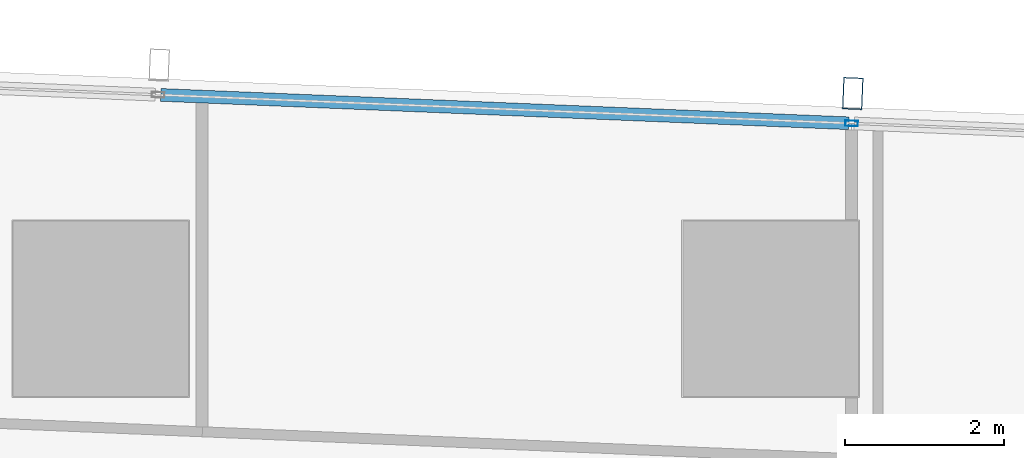
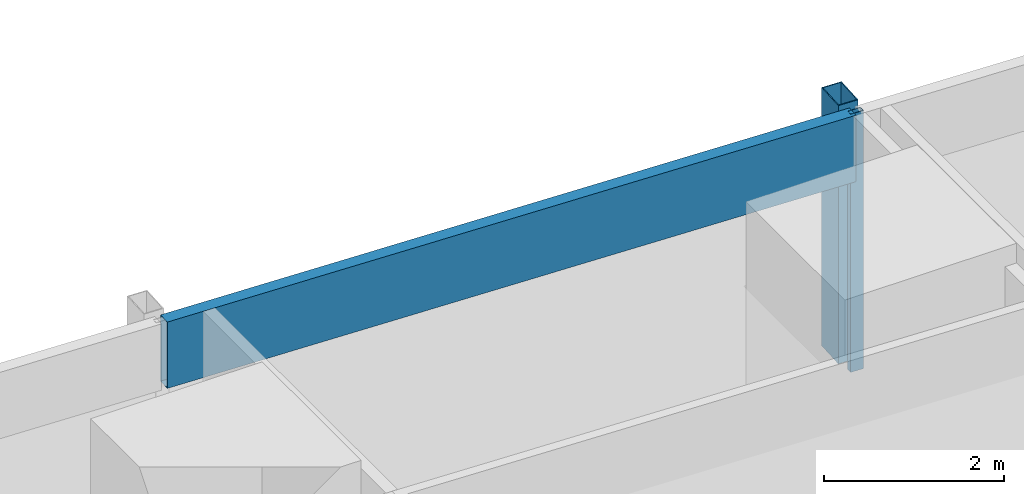
# One storey, part 22 of 45: 3 members, 1 element without a shape of its own.
"""IFC4 building model written with IfcOpenShell, lengths in metres."""

from ifc_helpers import new_model, si_unit, direction, frame, origin, origin_2d, place, context, subcontext, project, spatial, hollow_rectangle, extrude, material, material_profile, profile_set, type_object, element, aggregate, save


model = new_model("IFC4")

# Units and contexts
model_context = context("Model", 3, precision=1e-05, world=origin(), true_north=direction((0.0, 1.0)))
body_context = subcontext(model_context, "Body", "Model", "MODEL_VIEW")
ifc_project = project(units=[si_unit("LENGTHUNIT", "METRE"), si_unit("AREAUNIT", "SQUARE_METRE"), si_unit("VOLUMEUNIT", "CUBIC_METRE"), si_unit("PLANEANGLEUNIT", "RADIAN"), si_unit("MASSUNIT", "GRAM", prefix="KILO")], contexts=[model_context])

# Site, building, storey
site_placement = place(None, origin())
site = spatial("IfcSite", under=ifc_project, at=site_placement, CompositionType="ELEMENT")
building_placement = place(site_placement, origin())
building = spatial("IfcBuilding", under=site, at=building_placement, Name="Rekha Terrace Tower", CompositionType="ELEMENT")
storey_placement = place(building_placement, frame((0.0, 0.0, 44.14990234375)))
storey = spatial("IfcBuildingStorey", under=building, at=storey_placement, Name="L10", CompositionType="ELEMENT", Elevation=44.14990234375)

# Curtain wall, members
ifc_material_1 = material(Name="Aluminium framing", Category="aluminium")
curtain_wall_type = type_object("IfcCurtainWallType", Name="CW3 north unitised glazing", PredefinedType="USERDEFINED", material=ifc_material_1)
curtain_wall_placement = place(storey_placement, origin())
curtain_wall = element("IfcCurtainWall", 1, at=curtain_wall_placement, inside=storey, type_object=curtain_wall_type, Name="CW3 unitised curtain wall", ObjectType="UNITISED CURTAIN WALL", PredefinedType="USERDEFINED")
ifc_material_2 = material(Name="Steel S355 with fluorocarbon finish", Category="steel")
ifc_material_profile_1 = material_profile(ifc_material_2, hollow_rectangle(XDim=0.25, YDim=0.39990234375, WallThickness=0.012451171875, at=origin_2d()), Name="RHS400x250x12.5")
ifc_profile_set_1 = profile_set([ifc_material_profile_1], Name="Steel S355 with fluorocarbon finish")
member_type_1 = type_object("IfcMemberType", Name="BL1 facade blade RHS 400 x 250", PredefinedType="USERDEFINED", material=ifc_profile_set_1)
member_1_placement = place(storey_placement, frame((51.430419921875, 61.499267578125, 0.0), z_axis=(0.0, 0.0, 1.0), x_axis=(-0.99915196507, 0.041174636562, 0.0)))
member_1 = element("IfcMember", 2, at=member_1_placement, type_object=member_type_1, Name="Facade blade", ObjectType="FACADE BLADE", PredefinedType="USERDEFINED", context=body_context, shape_type="SweptSolid", body=[
    extrude(hollow_rectangle(XDim=0.25, YDim=0.39990234375, WallThickness=0.012451171875, at=origin_2d()), origin(), (0.0, 0.0, 1.0), 3.5),
])
ifc_material_3 = material(Name="Aluminium mullion section", Category="aluminium")
ifc_material_profile_2 = material_profile(ifc_material_3, hollow_rectangle(XDim=0.070068359375, YDim=0.159912109375, WallThickness=0.00390625, at=origin_2d()), Name="AL RHS 70x160")
ifc_profile_set_2 = profile_set([ifc_material_profile_2], Name="Aluminium mullion section")
member_type_2 = type_object("IfcMemberType", Name="CW3 mullion RHS 70 x 160", PredefinedType="MULLION", material=ifc_profile_set_2)
member_2_placement = place(storey_placement, frame((51.4150390625, 61.12451171875, 0.0), z_axis=(0.0, 0.0, 1.0), x_axis=(-0.041173846041, -0.999151997647, 0.0)))
member_2 = element("IfcMember", 3, at=member_2_placement, type_object=member_type_2, Name="CW3 mullion 3", PredefinedType="MULLION", context=body_context, shape_type="SweptSolid", body=[
    extrude(hollow_rectangle(XDim=0.070068359375, YDim=0.159912109375, WallThickness=0.00390625, at=origin_2d()), origin(), (0.0, 0.0, 1.0), 3.5),
])
ifc_material_4 = material(Name="Insulated aluminium spandrel box", Category="aluminium")
ifc_material_profile_3 = material_profile(ifc_material_4, hollow_rectangle(XDim=0.159912109375, YDim=0.89990234375, WallThickness=0.0029296875, at=origin_2d()), Name="AL SPANDREL BOX 160x900")
ifc_profile_set_3 = profile_set([ifc_material_profile_3], Name="Insulated aluminium spandrel box")
member_type_3 = type_object("IfcMemberType", Name="CW3 spandrel transom 160 x 900", PredefinedType="USERDEFINED", material=ifc_profile_set_3)
member_3_placement = place(storey_placement, frame((51.380126953125, 61.1259765625, 3.050048828125), z_axis=(-0.999152128669, 0.041170666459, 0.0), x_axis=(-0.041170666459, -0.999152128669, 0.0)))
member_3 = element("IfcMember", 4, at=member_3_placement, type_object=member_type_3, Name="CW3 spandrel transom 3", ObjectType="TRANSOM", PredefinedType="USERDEFINED", context=body_context, shape_type="SweptSolid", body=[
    extrude(hollow_rectangle(XDim=0.159912109375, YDim=0.89990234375, WallThickness=0.0029296875, at=origin_2d()), origin(), (0.0, 0.0, 1.0), 8.634033203125),
])
aggregate(curtain_wall, [member_2, member_3, member_1])

save(model, "model.ifc")
